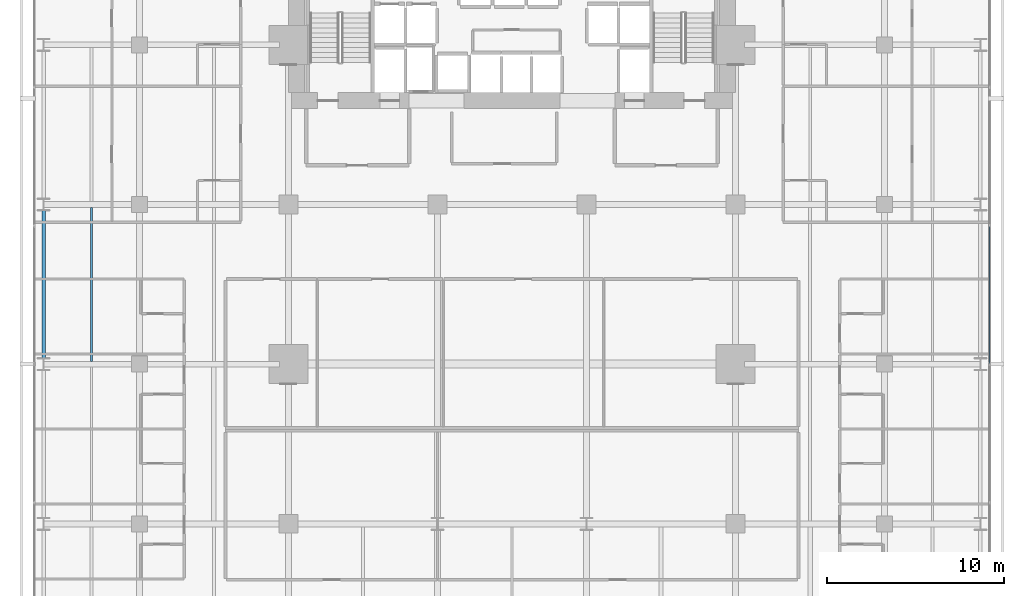
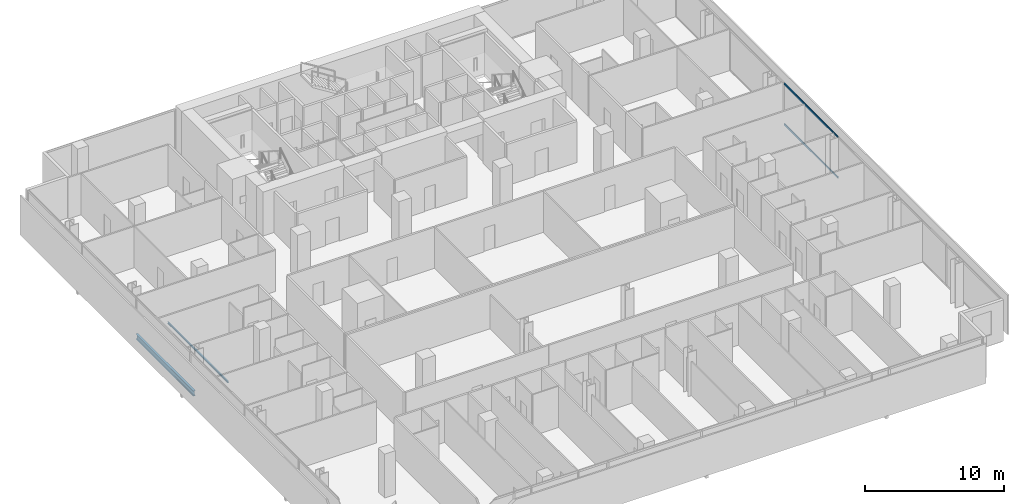
# One storey, part 20 of 40: 2 beams, 2 members, 1 element without a shape of its own.
"""IFC4 building model written with IfcOpenShell, lengths in metres."""

from ifc_helpers import new_model, si_unit, direction, frame, origin, origin_2d, place, context, subcontext, project, spatial, hollow_rectangle, i_section, extrude, material, layer, layer_set, material_profile, profile_set, type_object, element, aggregate, save


model = new_model("IFC4")

# Units and contexts
model_context = context("Model", 3, precision=1e-05, world=origin(), true_north=direction((0.0, 1.0)))
body_context = subcontext(model_context, "Body", "Model", "MODEL_VIEW")
ifc_project = project(units=[si_unit("LENGTHUNIT", "METRE"), si_unit("AREAUNIT", "SQUARE_METRE"), si_unit("VOLUMEUNIT", "CUBIC_METRE"), si_unit("PLANEANGLEUNIT", "RADIAN"), si_unit("MASSUNIT", "GRAM", prefix="KILO")], contexts=[model_context])

# Site, building, storey
site_placement = place(None, origin())
site = spatial("IfcSite", under=ifc_project, at=site_placement, CompositionType="ELEMENT")
building_placement = place(site_placement, origin())
building = spatial("IfcBuilding", under=site, at=building_placement, Name="Maruvema Waterfront Hotel and Observation Tower", CompositionType="ELEMENT")
storey_placement = place(building_placement, frame((0.0, 0.0, 30.800048828125)))
storey = spatial("IfcBuildingStorey", under=building, at=storey_placement, Name="L06", CompositionType="ELEMENT", Elevation=30.800048828125)

# Curtain wall, members
ifc_material_1 = material(Name="Anodised bronze aluminium and solar-control low-E IGU", Category="aluminium")
ifc_layer = layer(ifc_material_1, 0.159912109375, Name="Zone 1 Bronze Inner Thermal Curtain Wall System CW-02")
ifc_layer_set = layer_set([ifc_layer], Name="Anodised bronze aluminium and solar-control low-E IGU")
curtain_wall_type = type_object("IfcCurtainWallType", Name="Zone 1 Bronze Inner Thermal Curtain Wall System CW-02", PredefinedType="USERDEFINED", material=ifc_layer_set)
curtain_wall_placement = place(storey_placement, origin())
curtain_wall = element("IfcCurtainWall", 1, at=curtain_wall_placement, inside=storey, type_object=curtain_wall_type, Name="L06 Curtain Wall CW-L06-E", ObjectType="UNITISED CURTAIN WALL", PredefinedType="USERDEFINED")
ifc_material_2 = material(Name="Anodised architectural bronze aluminium", Category="aluminium")
ifc_material_profile_1 = material_profile(ifc_material_2, hollow_rectangle(XDim=0.070068359375, YDim=0.14990234375, WallThickness=0.00390625, at=origin_2d()), Name="ALU-T70x150")
ifc_profile_set_1 = profile_set([ifc_material_profile_1], Name="Anodised architectural bronze aluminium")
member_type = type_object("IfcMemberType", Name="Curtain Wall Horizontal Transom ALU-T70x150", PredefinedType="USERDEFINED", material=ifc_profile_set_1)
member_1_placement = place(storey_placement, frame((64.719970703125, 27.030029296875, 0.030029296875), z_axis=(0.0, 1.0, 0.0), x_axis=(-1.0, 0.0, 0.0)))
member_1 = element("IfcMember", 2, at=member_1_placement, type_object=member_type, Name="CW-02 transom 4.1", ObjectType="TRANSOM", PredefinedType="USERDEFINED", context=body_context, shape_type="SweptSolid", body=[
    extrude(hollow_rectangle(XDim=0.070068359375, YDim=0.14990234375, WallThickness=0.00390625, at=origin_2d()), origin(), (0.0, 0.0, 1.0), 7.739990234375),
])
member_2_placement = place(storey_placement, frame((64.719970703125, 27.030029296875, 3.579833984375), z_axis=(0.0, 1.0, 0.0), x_axis=(-1.0, 0.0, 0.0)))
member_2 = element("IfcMember", 3, at=member_2_placement, type_object=member_type, Name="CW-02 transom 4.2", ObjectType="TRANSOM", PredefinedType="USERDEFINED", context=body_context, shape_type="SweptSolid", body=[
    extrude(hollow_rectangle(XDim=0.070068359375, YDim=0.14990234375, WallThickness=0.00390625, at=origin_2d()), origin(), (0.0, 0.0, 1.0), 7.739990234375),
])
aggregate(curtain_wall, [member_1, member_2])

# Beams
ifc_material_3 = material(Name="Steel ASTM A572 Grade 50", Category="steel")
ifc_material_profile_2 = material_profile(ifc_material_3, i_section(OverallWidth=0.18994140625, OverallDepth=0.45703125, WebThickness=0.009033203125, FlangeThickness=0.014404296875, FilletRadius=0.014892578125, at=origin_2d()), Name="W460x74.0")
ifc_profile_set_2 = profile_set([ifc_material_profile_2], Name="Steel ASTM A572 Grade 50")
beam_type_1 = type_object("IfcBeamType", Name="Perimeter Spandrel Beam W460x74.0", PredefinedType="SPANDREL", material=ifc_profile_set_2)
beam_1_placement = place(storey_placement, frame((11.39990234375, 27.35009765625, -0.468505859375), z_axis=(0.0, 1.0, 0.0), x_axis=(-1.0, 0.0, 0.0)))
element("IfcBeam", 4, at=beam_1_placement, inside=storey, type_object=beam_type_1, Name="L06 Floor Girder NS-03", PredefinedType="SPANDREL", context=body_context, shape_type="SweptSolid", body=[
    extrude(i_section(OverallWidth=0.18994140625, OverallDepth=0.45703125, WebThickness=0.009033203125, FlangeThickness=0.014404296875, FilletRadius=0.014892578125, at=origin_2d()), origin(), (0.0, 0.0, 1.0), 8.2998046875),
])
ifc_material_4 = material(Name="Steel ASTM A572 Grade 50", Category="steel")
ifc_material_profile_3 = material_profile(ifc_material_4, i_section(OverallWidth=0.10009765625, OverallDepth=0.153076171875, WebThickness=0.005859375, FlangeThickness=0.007080078125, FilletRadius=0.008056640625, at=origin_2d()), Name="W150x18.0")
ifc_profile_set_3 = profile_set([ifc_material_profile_3], Name="Steel ASTM A572 Grade 50")
beam_type_2 = type_object("IfcBeamType", Name="Secondary Floor Joist W150x18.0", PredefinedType="JOIST", material=ifc_profile_set_3)
beam_2_placement = place(storey_placement, frame((14.10009765625, 27.16455078125, -0.316650390625), z_axis=(0.0, 1.0, 0.0), x_axis=(-1.0, 0.0, 0.0)))
element("IfcBeam", 5, at=beam_2_placement, inside=storey, type_object=beam_type_2, Name="L06 Secondary Floor Joist JS-03", PredefinedType="JOIST", context=body_context, shape_type="SweptSolid", body=[
    extrude(i_section(OverallWidth=0.10009765625, OverallDepth=0.153076171875, WebThickness=0.005859375, FlangeThickness=0.007080078125, FilletRadius=0.008056640625, at=origin_2d()), origin(), (0.0, 0.0, 1.0), 8.6708984375),
])

save(model, "model.ifc")
